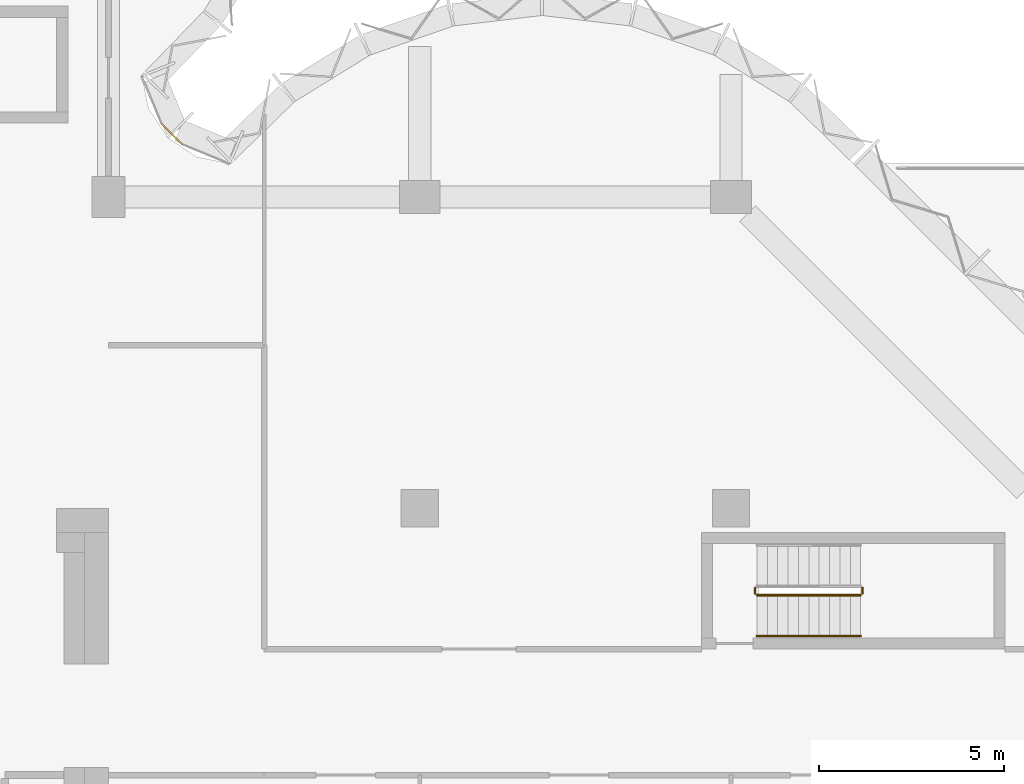
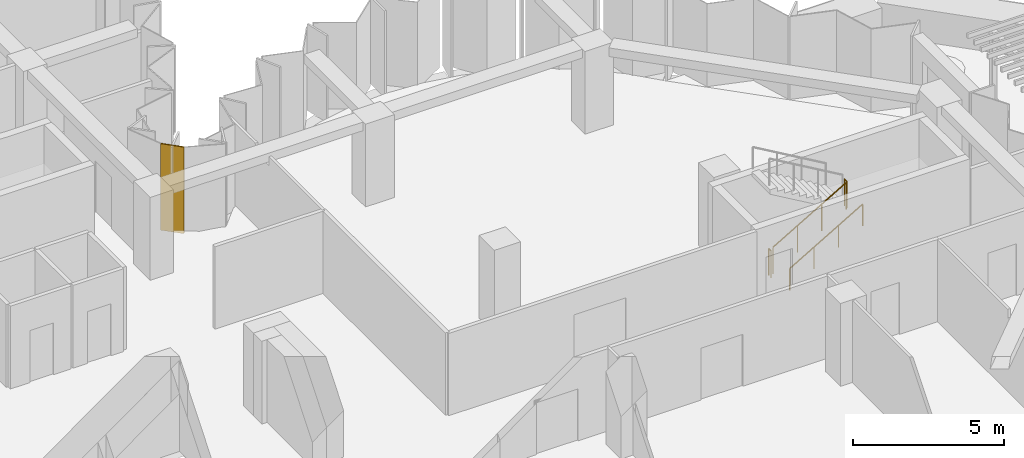
# One storey, part 13 of 14: 4 railings, 1 covering, 1 element without a shape of its own.
"""IFC4 building model written with IfcOpenShell, lengths in metres."""

from ifc_helpers import new_model, si_unit, direction, frame, origin, origin_2d, place, context, subcontext, project, spatial, polyline, circle, outline, extrude, material, layer, layer_set, type_object, element, aggregate, save


model = new_model("IFC4")

# Units and contexts
model_context = context("Model", 3, precision=1e-05, world=origin(), true_north=direction((0.0, 1.0)))
body_context = subcontext(model_context, "Body", "Model", "MODEL_VIEW")
ifc_project = project(units=[si_unit("LENGTHUNIT", "METRE"), si_unit("AREAUNIT", "SQUARE_METRE"), si_unit("VOLUMEUNIT", "CUBIC_METRE"), si_unit("PLANEANGLEUNIT", "RADIAN"), si_unit("MASSUNIT", "GRAM", prefix="KILO")], contexts=[model_context])

# Site, building, storey
site_placement = place(None, origin())
site = spatial("IfcSite", under=ifc_project, at=site_placement, CompositionType="ELEMENT")
building_placement = place(site_placement, origin())
building = spatial("IfcBuilding", under=site, at=building_placement, Name="Brevane Broadcast Tower", CompositionType="ELEMENT")
storey_placement = place(building_placement, frame((0.0, 0.0, 184.800048828125)))
storey = spatial("IfcBuildingStorey", under=building, at=storey_placement, Name="L46", CompositionType="ELEMENT", Elevation=184.800048828125)

# Railings
ifc_material_1 = material(Name="Steel S355", Category="steel")
railing_type_1 = type_object("IfcRailingType", Name="Exit stair guard", PredefinedType="GUARDRAIL", material=ifc_material_1)
railing_1_placement = place(storey_placement, frame((42.699951171875, 14.449951171875, 0.16357421875)))
element("IfcRailing", 1, at=railing_1_placement, inside=storey, type_object=railing_type_1, Name="L46 ST-4 stair guard 1", PredefinedType="GUARDRAIL", context=body_context, shape_type="SweptSolid", body=[
    extrude(circle(Radius=0.02392578125, at=origin_2d()), frame((0.0, 0.0, 1.076171875), z_axis=(0.863360870873, 0.0, 0.504586966384), x_axis=(0.0, 1.0, 0.0)), (0.0, 0.0, 1.0), 3.2431640625),
    extrude(circle(Radius=0.02099609375, at=origin_2d()), origin(), (0.0, 0.0, 1.0), 1.052001953125),
    extrude(circle(Radius=0.02099609375, at=origin_2d()), frame((0.933349609375, 0.0, 0.54541015625)), (0.0, 0.0, 1.0), 1.052001953125),
    extrude(circle(Radius=0.02099609375, at=origin_2d()), frame((1.86669921875, 0.0, 1.091064453125)), (0.0, 0.0, 1.0), 1.052001953125),
    extrude(circle(Radius=0.02099609375, at=origin_2d()), frame((2.800048828125, 0.0, 1.636474609375)), (0.0, 0.0, 1.0), 1.052001953125),
])
for number, where, name in (
    (2, (45.550048828125, 14.5, 1.800048828125), "L46 ST-4 stair guard 2"),
    (3, (42.64990234375, 14.5, 0.0), "L46 ST-4 stair guard 4"),
):
    element("IfcRailing", number, at=place(storey_placement, frame(where)), inside=storey, type_object=railing_type_1, Name=name, PredefinedType="GUARDRAIL", context=body_context, shape_type="SweptSolid", body=[
        extrude(circle(Radius=0.02392578125, at=origin_2d()), frame((0.0, 0.0, 1.076171875), z_axis=(0.0, 1.0, 0.0), x_axis=(-1.0, 0.0, 0.0)), (0.0, 0.0, 1.0), 0.14990234375),
        extrude(circle(Radius=0.02099609375, at=origin_2d()), origin(), (0.0, 0.0, 1.0), 1.052001953125),
        extrude(circle(Radius=0.02099609375, at=origin_2d()), frame((0.0, 0.14990234375, 0.0)), (0.0, 0.0, 1.0), 1.052001953125),
    ])
railing_type_2 = type_object("IfcRailingType", Name="Exit stair handrail", PredefinedType="HANDRAIL", material=ifc_material_1)
railing_2_placement = place(storey_placement, frame((42.699951171875, 13.35009765625, 0.16357421875)))
element("IfcRailing", 4, at=railing_2_placement, inside=storey, type_object=railing_type_2, Name="L46 ST-4 stair handrail 1", PredefinedType="HANDRAIL", context=body_context, shape_type="SweptSolid", body=[
    extrude(circle(Radius=0.02392578125, at=origin_2d()), frame((0.0, 0.0, 0.8759765625), z_axis=(0.863360870873, 0.0, 0.504586966384), x_axis=(0.0, 1.0, 0.0)), (0.0, 0.0, 1.0), 3.2431640625),
    extrude(circle(Radius=0.02099609375, at=origin_2d()), origin(), (0.0, 0.0, 1.0), 0.851806640625),
    extrude(circle(Radius=0.02099609375, at=origin_2d()), frame((0.933349609375, 0.0, 0.54541015625)), (0.0, 0.0, 1.0), 0.851806640625),
    extrude(circle(Radius=0.02099609375, at=origin_2d()), frame((1.86669921875, 0.0, 1.091064453125)), (0.0, 0.0, 1.0), 0.851806640625),
    extrude(circle(Radius=0.02099609375, at=origin_2d()), frame((2.800048828125, 0.0, 1.636474609375)), (0.0, 0.0, 1.0), 0.851806640625),
])

# Curtain wall, covering
ifc_material_2 = material(Name="Aluminium 6063-T6 bronze anodised", Category="aluminium")
curtain_wall_type = type_object("IfcCurtainWallType", Name="CW-1 curtain wall", PredefinedType="NOTDEFINED", material=ifc_material_2)
curtain_wall_placement = place(storey_placement, origin())
curtain_wall = element("IfcCurtainWall", 5, at=curtain_wall_placement, inside=storey, type_object=curtain_wall_type, Name="CW-1 typical tilted unit L46 inner corner", PredefinedType="NOTDEFINED")
ifc_material_3 = material(Name="Back-painted bronze glass shadow-box", Category="glass")
ifc_layer = layer(ifc_material_3, 0.0400390625)
ifc_layer_set = layer_set([ifc_layer], Name="Shadow-box panel 40")
covering_type = type_object("IfcCoveringType", Name="Shadow-box panel 40", PredefinedType="CLADDING", material=ifc_layer_set)
covering_placement = place(storey_placement, frame((0.0, 0.0, -0.150146484375)))
covering = element("IfcCovering", 6, at=covering_placement, type_object=covering_type, Name="Closure panel", PredefinedType="CLADDING", context=body_context, shape_type="SweptSolid", body=[
    extrude(outline(polyline([(27.17138671875, 26.60498046875), (27.2021484375, 26.635498046875), (26.635498046875, 27.2021484375), (26.60498046875, 27.17138671875), (27.17138671875, 26.60498046875)])), origin(), (0.0, 0.0, 1.0), 3.5),
])
aggregate(curtain_wall, [covering])

save(model, "model.ifc")
